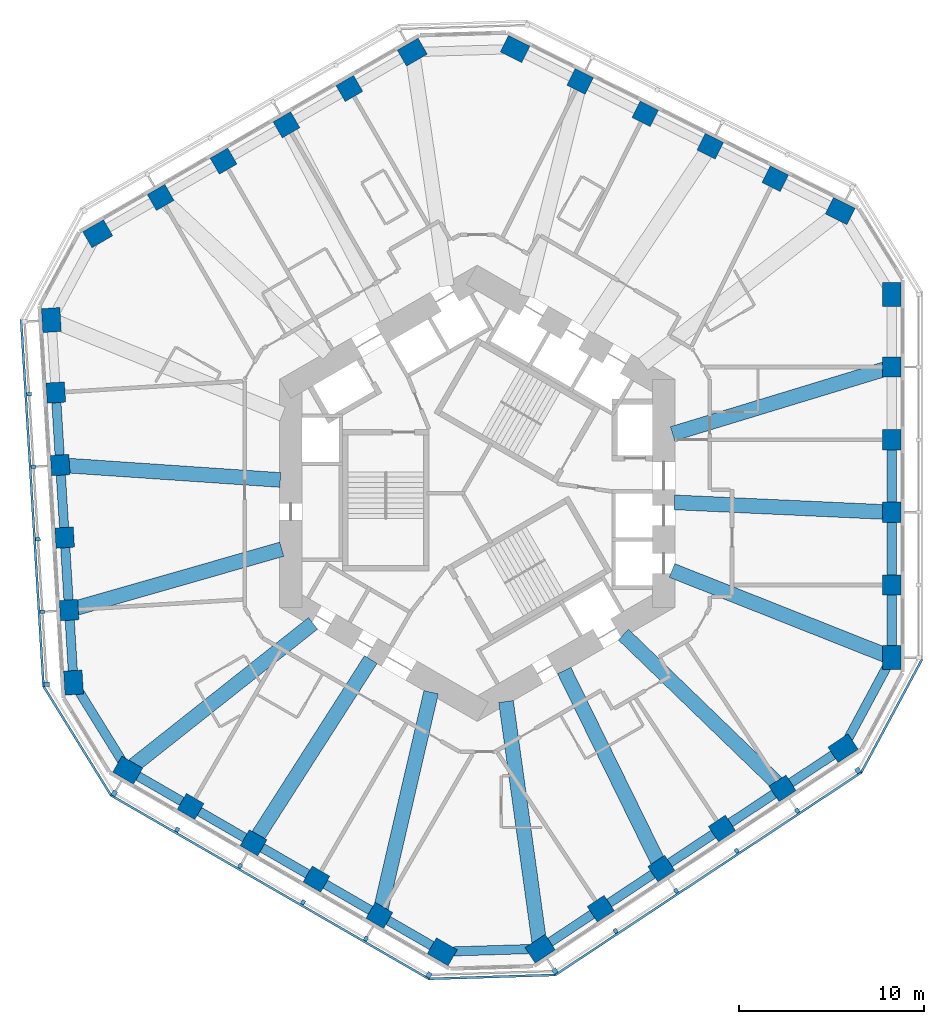
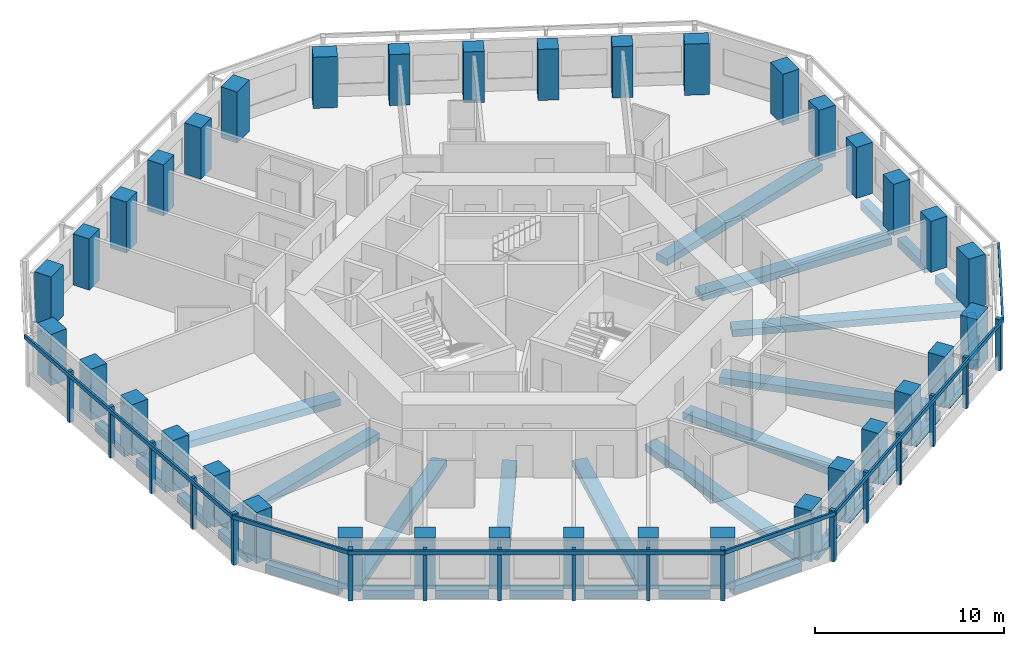
# One storey, part 1 of 12: 36 columns, 31 beams, 23 members, 6 elements without a shape of their own.
"""IFC4 building model written with IfcOpenShell, lengths in metres."""

from ifc_helpers import new_model, si_unit, direction, frame, origin, origin_2d, place, context, subcontext, project, spatial, rectangle, extrude, material, material_profile, profile_set, type_object, element, aggregate, save


model = new_model("IFC4")

# Units and contexts
model_context = context("Model", 3, precision=1e-05, world=origin(), true_north=direction((0.0, 1.0)))
body_context = subcontext(model_context, "Body", "Model", "MODEL_VIEW")
ifc_project = project(units=[si_unit("LENGTHUNIT", "METRE"), si_unit("AREAUNIT", "SQUARE_METRE"), si_unit("VOLUMEUNIT", "CUBIC_METRE"), si_unit("PLANEANGLEUNIT", "RADIAN"), si_unit("MASSUNIT", "GRAM", prefix="KILO")], contexts=[model_context])

# Site, building, storey
site_placement = place(None, origin())
site = spatial("IfcSite", under=ifc_project, at=site_placement, CompositionType="ELEMENT")
building_placement = place(site_placement, origin())
building = spatial("IfcBuilding", under=site, at=building_placement, Name="Vanh Sen Convention Tower", CompositionType="ELEMENT")
storey_placement = place(building_placement, frame((0.0, 0.0, 110.0)))
storey = spatial("IfcBuildingStorey", under=building, at=storey_placement, Name="L26", CompositionType="ELEMENT", Elevation=110.0)

# Columns
ifc_material_1 = material(Name="Concrete C80/95", Category="concrete")
ifc_material_profile_1 = material_profile(ifc_material_1, rectangle(XDim=1.10009765625, YDim=1.0, at=origin_2d()), Name="RC 1100X1000")
ifc_profile_set_1 = profile_set([ifc_material_profile_1], Name="Concrete C80/95")
column_type_1 = type_object("IfcColumnType", Name="Facade column 1100 x 1000 C80/95", PredefinedType="COLUMN", material=ifc_profile_set_1)
for number, where, z_axis, x_axis, name in (
    (1, (22.449951171875, -4.964599609375, 0.0), (0.0, 0.0, 1.0), (0.0, 1.0, 0.0), "Facade column 02 L26"),
    (2, (22.449951171875, -1.030029296875, 0.0), (0.0, 0.0, 1.0), (0.0, 1.0, 0.0), "Facade column 03 L26"),
    (3, (22.449951171875, 2.904541015625, 0.0), (0.0, 0.0, 1.0), (0.0, 1.0, 0.0), "Facade column 04 L26"),
    (4, (22.449951171875, 6.839111328125, 0.0), (0.0, 0.0, 1.0), (0.0, 1.0, 0.0), "Facade column 05 L26"),
    (5, (16.1376953125, 17.039794921875, 0.0), (0.0, 0.0, 1.0), (-0.894934361602, 0.44619781311, 0.0), "Facade column 08 L26"),
    (6, (12.616455078125, 18.79541015625, 0.0), (0.0, 0.0, 1.0), (-0.894934361602, 0.44619781311, 0.0), "Facade column 09 L26"),
    (7, (9.09521484375, 20.55078125, 0.0), (0.0, 0.0, 1.0), (-0.894934361602, 0.44619781311, 0.0), "Facade column 10 L26"),
    (8, (5.57421875, 22.306396484375, 0.0), (0.0, 0.0, 1.0), (-0.894934361602, 0.44619781311, 0.0), "Facade column 11 L26"),
    (9, (-6.925537109375, 21.924560546875, 0.0), (0.0, 0.0, 1.0), (-0.866025403784, -0.5, 0.0), "Facade column 14 L26"),
    (10, (-10.3330078125, 19.957275390625, 0.0), (0.0, 0.0, 1.0), (-0.866025403784, -0.5, 0.0), "Facade column 15 L26"),
    (11, (-13.740478515625, 17.989990234375, 0.0), (0.0, 0.0, 1.0), (-0.866025403784, -0.5, 0.0), "Facade column 16 L26"),
    (12, (-17.14794921875, 16.022705078125, 0.0), (0.0, 0.0, 1.0), (-0.866025403784, -0.5, 0.0), "Facade column 17 L26"),
    (13, (-22.82568359375, 5.455810546875, 0.0), (0.0, 0.0, 1.0), (0.061048539535, -0.998134798422, 0.0), "Facade column 20 L26"),
    (14, (-22.58544921875, 1.528564453125, 0.0), (0.0, 0.0, 1.0), (0.061048539535, -0.998134798422, 0.0), "Facade column 21 L26"),
    (15, (-22.34521484375, -2.398681640625, 0.0), (0.0, 0.0, 1.0), (0.061048539535, -0.998134798422, 0.0), "Facade column 22 L26"),
    (16, (-22.10498046875, -6.325927734375, 0.0), (0.0, 0.0, 1.0), (0.061048539535, -0.998134798422, 0.0), "Facade column 23 L26"),
    (17, (-15.5244140625, -16.9599609375, 0.0), (0.0, 0.0, 1.0), (0.866025403784, -0.5, 0.0), "Facade column 26 L26"),
    (18, (-12.1171875, -18.92724609375, 0.0), (0.0, 0.0, 1.0), (0.866025403784, -0.5, 0.0), "Facade column 27 L26"),
    (19, (-8.709716796875, -20.89453125, 0.0), (0.0, 0.0, 1.0), (0.866025403784, -0.5, 0.0), "Facade column 28 L26"),
    (20, (-5.302001953125, -22.86181640625, 0.0), (0.0, 0.0, 1.0), (0.866025403784, -0.5, 0.0), "Facade column 29 L26"),
    (21, (6.68798828125, -22.49560546875, 0.0), (0.0, 0.0, 1.0), (0.833885822067, 0.551936985312, 0.0), "Facade column 32 L26"),
    (22, (9.968994140625, -20.323974609375, 0.0), (0.0, 0.0, 1.0), (0.833885822067, 0.551936985312, 0.0), "Facade column 33 L26"),
    (23, (13.25, -18.152099609375, 0.0), (0.0, 0.0, 1.0), (0.833885822067, 0.551936985312, 0.0), "Facade column 34 L26"),
    (24, (16.531005859375, -15.980712890625, 0.0), (0.0, 0.0, 1.0), (0.833885822067, 0.551936985312, 0.0), "Facade column 35 L26"),
):
    element("IfcColumn", number, at=place(storey_placement, frame(where, z_axis=z_axis, x_axis=x_axis)), inside=storey, type_object=column_type_1, Name=name, PredefinedType="COLUMN", context=body_context, shape_type="SweptSolid", body=[
        extrude(rectangle(XDim=1.10009765625, YDim=1.0, at=origin_2d()), origin(), (0.0, 0.0, 1.0), 3.300048828125),
    ])
ifc_material_profile_2 = material_profile(ifc_material_1, rectangle(XDim=1.300048828125, YDim=1.0, at=origin_2d()), Name="RC 1300X1000")
ifc_profile_set_2 = profile_set([ifc_material_profile_2], Name="Concrete C80/95")
column_type_2 = type_object("IfcColumnType", Name="Facade corner column 1300 x 1000 C80/95", PredefinedType="COLUMN", material=ifc_profile_set_2)
for number, where, z_axis, x_axis, name in (
    (25, (22.449951171875, -8.899169921875, 0.0), (0.0, 0.0, 1.0), (0.0, 1.0, 0.0), "Facade column 01 L26"),
    (26, (22.449951171875, 10.773681640625, 0.0), (0.0, 0.0, 1.0), (0.0, 1.0, 0.0), "Facade column 06 L26"),
    (27, (19.658935546875, 15.2841796875, 0.0), (0.0, 0.0, 1.0), (-0.894934361602, 0.44619781311, 0.0), "Facade column 07 L26"),
    (28, (2.052978515625, 24.06201171875, 0.0), (0.0, 0.0, 1.0), (-0.894934361602, 0.44619781311, 0.0), "Facade column 12 L26"),
    (29, (-3.51806640625, 23.891845703125, 0.0), (0.0, 0.0, 1.0), (-0.866025403784, -0.5, 0.0), "Facade column 13 L26"),
    (30, (-20.555419921875, 14.055419921875, 0.0), (0.0, 0.0, 1.0), (-0.866025403784, -0.5, 0.0), "Facade column 18 L26"),
    (31, (-23.06591796875, 9.383056640625, 0.0), (0.0, 0.0, 1.0), (0.061048539535, -0.998134798422, 0.0), "Facade column 19 L26"),
    (32, (-21.86474609375, -10.253173828125, 0.0), (0.0, 0.0, 1.0), (0.061048539535, -0.998134798422, 0.0), "Facade column 24 L26"),
    (33, (-18.931884765625, -14.99267578125, 0.0), (0.0, 0.0, 1.0), (0.866025403784, -0.5, 0.0), "Facade column 25 L26"),
    (34, (-1.894775390625, -24.8291015625, 0.0), (0.0, 0.0, 1.0), (0.866025403784, -0.5, 0.0), "Facade column 30 L26"),
    (35, (3.406982421875, -24.6669921875, 0.0), (0.0, 0.0, 1.0), (0.833885822067, 0.551936985312, 0.0), "Facade column 31 L26"),
    (36, (19.81201171875, -13.808837890625, 0.0), (0.0, 0.0, 1.0), (0.833885822067, 0.551936985312, 0.0), "Facade column 36 L26"),
):
    element("IfcColumn", number, at=place(storey_placement, frame(where, z_axis=z_axis, x_axis=x_axis)), inside=storey, type_object=column_type_2, Name=name, PredefinedType="COLUMN", context=body_context, shape_type="SweptSolid", body=[
        extrude(rectangle(XDim=1.300048828125, YDim=1.0, at=origin_2d()), origin(), (0.0, 0.0, 1.0), 3.300048828125),
    ])

# Curtain wall, member
ifc_material_2 = material(Name="Concrete C50/60", Category="concrete")
curtain_wall_type = type_object("IfcCurtainWallType", Name="Outer skin hotel zone", PredefinedType="NOTDEFINED", material=ifc_material_2)
curtain_wall_1_placement = place(storey_placement, origin())
curtain_wall_1 = element("IfcCurtainWall", 37, at=curtain_wall_1_placement, inside=storey, type_object=curtain_wall_type, Name="OUTER SKIN W L26", PredefinedType="NOTDEFINED")
ifc_material_profile_3 = material_profile(ifc_material_2, rectangle(XDim=0.25, YDim=0.300048828125, at=origin_2d()), Name="Outer skin precast corner fin 250 x 300")
ifc_profile_set_3 = profile_set([ifc_material_profile_3], Name="Concrete C50/60")
member_type_1 = type_object("IfcMemberType", Name="Outer skin precast corner fin 250 x 300", PredefinedType="MULLION", material=ifc_profile_set_3)
member_1_placement = place(storey_placement, frame((-23.31201171875, -10.341796875, 0.0), z_axis=(0.0, 0.0, 1.0), x_axis=(0.061048539535, -0.998134798422, 0.0)))
member_1 = element("IfcMember", 38, at=member_1_placement, type_object=member_type_1, Name="OUTER SKIN CORNER FIN 6 W L26", PredefinedType="MULLION", context=body_context, shape_type="SweptSolid", body=[
    extrude(rectangle(XDim=0.25, YDim=0.300048828125, at=origin_2d()), origin(), (0.0, 0.0, 1.0), 3.300048828125),
])

# Curtain wall, members
curtain_wall_2_placement = place(storey_placement, origin())
curtain_wall_2 = element("IfcCurtainWall", 39, at=curtain_wall_2_placement, inside=storey, type_object=curtain_wall_type, Name="OUTER SKIN SW L26", PredefinedType="NOTDEFINED")
member_2_placement = place(storey_placement, frame((-19.656982421875, -16.248291015625, 0.0), z_axis=(0.0, 0.0, 1.0), x_axis=(0.866025403784, -0.5, 0.0)))
member_2 = element("IfcMember", 40, at=member_2_placement, type_object=member_type_1, Name="OUTER SKIN CORNER FIN 1 SW L26", PredefinedType="MULLION", context=body_context, shape_type="SweptSolid", body=[
    extrude(rectangle(XDim=0.25, YDim=0.300048828125, at=origin_2d()), origin(), (0.0, 0.0, 1.0), 3.300048828125),
])
member_3_placement = place(storey_placement, frame((-2.61962890625, -26.084716796875, 0.0), z_axis=(0.0, 0.0, 1.0), x_axis=(0.866025403784, -0.5, 0.0)))
member_3 = element("IfcMember", 41, at=member_3_placement, type_object=member_type_1, Name="OUTER SKIN CORNER FIN 6 SW L26", PredefinedType="MULLION", context=body_context, shape_type="SweptSolid", body=[
    extrude(rectangle(XDim=0.25, YDim=0.300048828125, at=origin_2d()), origin(), (0.0, 0.0, 1.0), 3.300048828125),
])

curtain_wall_3_placement = place(storey_placement, origin())
curtain_wall_3 = element("IfcCurtainWall", 42, at=curtain_wall_3_placement, inside=storey, type_object=curtain_wall_type, Name="OUTER SKIN SE L26", PredefinedType="NOTDEFINED")
member_4_placement = place(storey_placement, frame((4.207275390625, -25.876220703125, 0.0), z_axis=(0.0, 0.0, 1.0), x_axis=(0.833885822067, 0.551936985312, 0.0)))
member_4 = element("IfcMember", 43, at=member_4_placement, type_object=member_type_1, Name="OUTER SKIN CORNER FIN 1 SE L26", PredefinedType="MULLION", context=body_context, shape_type="SweptSolid", body=[
    extrude(rectangle(XDim=0.25, YDim=0.300048828125, at=origin_2d()), origin(), (0.0, 0.0, 1.0), 3.300048828125),
])
member_5_placement = place(storey_placement, frame((20.6123046875, -15.01806640625, 0.0), z_axis=(0.0, 0.0, 1.0), x_axis=(0.833885822067, 0.551936985312, 0.0)))
member_5 = element("IfcMember", 44, at=member_5_placement, type_object=member_type_1, Name="OUTER SKIN CORNER FIN 6 SE L26", PredefinedType="MULLION", context=body_context, shape_type="SweptSolid", body=[
    extrude(rectangle(XDim=0.25, YDim=0.300048828125, at=origin_2d()), origin(), (0.0, 0.0, 1.0), 3.300048828125),
])

# Member
ifc_material_profile_4 = material_profile(ifc_material_2, rectangle(XDim=0.199951171875, YDim=0.25, at=origin_2d()), Name="Outer skin precast fin 200 x 250")
ifc_profile_set_4 = profile_set([ifc_material_profile_4], Name="Concrete C50/60")
member_type_2 = type_object("IfcMemberType", Name="Outer skin precast fin 200 x 250", PredefinedType="MULLION", material=ifc_profile_set_4)
member_6_placement = place(storey_placement, frame((-24.27294921875, 5.3671875, 0.0), z_axis=(0.0, 0.0, 1.0), x_axis=(0.061048539535, -0.998134798422, 0.0)))
member_6 = element("IfcMember", 45, at=member_6_placement, type_object=member_type_2, Name="OUTER SKIN fin 2 W L26", PredefinedType="MULLION", context=body_context, shape_type="SweptSolid", body=[
    extrude(rectangle(XDim=0.199951171875, YDim=0.25, at=origin_2d()), origin(), (0.0, 0.0, 1.0), 3.300048828125),
])

member_7_placement = place(storey_placement, frame((-24.03271484375, 1.440185546875, 0.0), z_axis=(0.0, 0.0, 1.0), x_axis=(0.061048539535, -0.998134798422, 0.0)))
member_7 = element("IfcMember", 46, at=member_7_placement, type_object=member_type_2, Name="OUTER SKIN fin 3 W L26", PredefinedType="MULLION", context=body_context, shape_type="SweptSolid", body=[
    extrude(rectangle(XDim=0.199951171875, YDim=0.25, at=origin_2d()), origin(), (0.0, 0.0, 1.0), 3.300048828125),
])

member_8_placement = place(storey_placement, frame((-23.79248046875, -2.4873046875, 0.0), z_axis=(0.0, 0.0, 1.0), x_axis=(0.061048539535, -0.998134798422, 0.0)))
member_8 = element("IfcMember", 47, at=member_8_placement, type_object=member_type_2, Name="OUTER SKIN fin 4 W L26", PredefinedType="MULLION", context=body_context, shape_type="SweptSolid", body=[
    extrude(rectangle(XDim=0.199951171875, YDim=0.25, at=origin_2d()), origin(), (0.0, 0.0, 1.0), 3.300048828125),
])

member_9_placement = place(storey_placement, frame((-23.55224609375, -6.414306640625, 0.0), z_axis=(0.0, 0.0, 1.0), x_axis=(0.061048539535, -0.998134798422, 0.0)))
member_9 = element("IfcMember", 48, at=member_9_placement, type_object=member_type_2, Name="OUTER SKIN fin 5 W L26", PredefinedType="MULLION", context=body_context, shape_type="SweptSolid", body=[
    extrude(rectangle(XDim=0.199951171875, YDim=0.25, at=origin_2d()), origin(), (0.0, 0.0, 1.0), 3.300048828125),
])

member_10_placement = place(storey_placement, frame((-16.24951171875, -18.2158203125, 0.0), z_axis=(0.0, 0.0, 1.0), x_axis=(0.866025403784, -0.5, 0.0)))
member_10 = element("IfcMember", 49, at=member_10_placement, type_object=member_type_2, Name="OUTER SKIN fin 2 SW L26", PredefinedType="MULLION", context=body_context, shape_type="SweptSolid", body=[
    extrude(rectangle(XDim=0.199951171875, YDim=0.25, at=origin_2d()), origin(), (0.0, 0.0, 1.0), 3.300048828125),
])

member_11_placement = place(storey_placement, frame((-12.842041015625, -20.182861328125, 0.0), z_axis=(0.0, 0.0, 1.0), x_axis=(0.866025403784, -0.5, 0.0)))
member_11 = element("IfcMember", 50, at=member_11_placement, type_object=member_type_2, Name="OUTER SKIN fin 3 SW L26", PredefinedType="MULLION", context=body_context, shape_type="SweptSolid", body=[
    extrude(rectangle(XDim=0.199951171875, YDim=0.25, at=origin_2d()), origin(), (0.0, 0.0, 1.0), 3.300048828125),
])

member_12_placement = place(storey_placement, frame((-9.4345703125, -22.150146484375, 0.0), z_axis=(0.0, 0.0, 1.0), x_axis=(0.866025403784, -0.5, 0.0)))
member_12 = element("IfcMember", 51, at=member_12_placement, type_object=member_type_2, Name="OUTER SKIN fin 4 SW L26", PredefinedType="MULLION", context=body_context, shape_type="SweptSolid", body=[
    extrude(rectangle(XDim=0.199951171875, YDim=0.25, at=origin_2d()), origin(), (0.0, 0.0, 1.0), 3.300048828125),
])

member_13_placement = place(storey_placement, frame((-6.027099609375, -24.117431640625, 0.0), z_axis=(0.0, 0.0, 1.0), x_axis=(0.866025403784, -0.5, 0.0)))
member_13 = element("IfcMember", 52, at=member_13_placement, type_object=member_type_2, Name="OUTER SKIN fin 5 SW L26", PredefinedType="MULLION", context=body_context, shape_type="SweptSolid", body=[
    extrude(rectangle(XDim=0.199951171875, YDim=0.25, at=origin_2d()), origin(), (0.0, 0.0, 1.0), 3.300048828125),
])

member_14_placement = place(storey_placement, frame((7.48828125, -23.70458984375, 0.0), z_axis=(0.0, 0.0, 1.0), x_axis=(0.833885822067, 0.551936985312, 0.0)))
member_14 = element("IfcMember", 53, at=member_14_placement, type_object=member_type_2, Name="OUTER SKIN fin 2 SE L26", PredefinedType="MULLION", context=body_context, shape_type="SweptSolid", body=[
    extrude(rectangle(XDim=0.199951171875, YDim=0.25, at=origin_2d()), origin(), (0.0, 0.0, 1.0), 3.300048828125),
])

member_15_placement = place(storey_placement, frame((10.769287109375, -21.532958984375, 0.0), z_axis=(0.0, 0.0, 1.0), x_axis=(0.833885822067, 0.551936985312, 0.0)))
member_15 = element("IfcMember", 54, at=member_15_placement, type_object=member_type_2, Name="OUTER SKIN fin 3 SE L26", PredefinedType="MULLION", context=body_context, shape_type="SweptSolid", body=[
    extrude(rectangle(XDim=0.199951171875, YDim=0.25, at=origin_2d()), origin(), (0.0, 0.0, 1.0), 3.300048828125),
])

member_16_placement = place(storey_placement, frame((14.05029296875, -19.361328125, 0.0), z_axis=(0.0, 0.0, 1.0), x_axis=(0.833885822067, 0.551936985312, 0.0)))
member_16 = element("IfcMember", 55, at=member_16_placement, type_object=member_type_2, Name="OUTER SKIN fin 4 SE L26", PredefinedType="MULLION", context=body_context, shape_type="SweptSolid", body=[
    extrude(rectangle(XDim=0.199951171875, YDim=0.25, at=origin_2d()), origin(), (0.0, 0.0, 1.0), 3.300048828125),
])

member_17_placement = place(storey_placement, frame((17.331298828125, -17.189697265625, 0.0), z_axis=(0.0, 0.0, 1.0), x_axis=(0.833885822067, 0.551936985312, 0.0)))
member_17 = element("IfcMember", 56, at=member_17_placement, type_object=member_type_2, Name="OUTER SKIN fin 5 SE L26", PredefinedType="MULLION", context=body_context, shape_type="SweptSolid", body=[
    extrude(rectangle(XDim=0.199951171875, YDim=0.25, at=origin_2d()), origin(), (0.0, 0.0, 1.0), 3.300048828125),
])

ifc_material_profile_5 = material_profile(ifc_material_2, rectangle(XDim=0.1201171875, YDim=0.25, at=origin_2d()), Name="Outer skin precast spandrel band 250 x 120")
ifc_profile_set_5 = profile_set([ifc_material_profile_5], Name="Concrete C50/60")
member_type_3 = type_object("IfcMemberType", Name="Outer skin precast spandrel band 250 x 120", PredefinedType="USERDEFINED", material=ifc_profile_set_5)
member_18_placement = place(storey_placement, frame((-24.705322265625, 9.408203125, 3.175048828125), z_axis=(0.061050017989, -0.998134707995, 0.0), x_axis=(0.998134707995, 0.061050017989, 0.0)))
member_18 = element("IfcMember", 57, at=member_18_placement, type_object=member_type_3, Name="OUTER SKIN spandrel band W L26", ObjectType="TRANSOM", PredefinedType="USERDEFINED", context=body_context, shape_type="SweptSolid", body=[
    extrude(rectangle(XDim=0.1201171875, YDim=0.25, at=origin_2d()), origin(), (0.0, 0.0, 1.0), 19.923095703125),
])

aggregate(curtain_wall_1, [member_6, member_7, member_8, member_9, member_1, member_18])

# Curtain wall, member
curtain_wall_4_placement = place(storey_placement, origin())
curtain_wall_4 = element("IfcCurtainWall", 58, at=curtain_wall_4_placement, inside=storey, type_object=curtain_wall_type, Name="OUTER SKIN CH4 L26", PredefinedType="NOTDEFINED")
member_19_placement = place(storey_placement, frame((-23.49072265625, -10.4521484375, 3.175048828125), z_axis=(0.526196095141, -0.850363257354, 0.0), x_axis=(0.850363257354, 0.526196095141, 0.0)))
member_19 = element("IfcMember", 59, at=member_19_placement, type_object=member_type_3, Name="OUTER SKIN spandrel band CH4 L26", ObjectType="TRANSOM", PredefinedType="USERDEFINED", context=body_context, shape_type="SweptSolid", body=[
    extrude(rectangle(XDim=0.1201171875, YDim=0.25, at=origin_2d()), origin(), (0.0, 0.0, 1.0), 6.946044921875),
])
aggregate(curtain_wall_4, [member_19])

# Member
member_20_placement = place(storey_placement, frame((-19.85791015625, -16.34619140625, 3.175048828125), z_axis=(0.866028047459, -0.499995420993, 0.0), x_axis=(0.499995420993, 0.866028047459, 0.0)))
member_20 = element("IfcMember", 60, at=member_20_placement, type_object=member_type_3, Name="OUTER SKIN spandrel band SW L26", ObjectType="TRANSOM", PredefinedType="USERDEFINED", context=body_context, shape_type="SweptSolid", body=[
    extrude(rectangle(XDim=0.1201171875, YDim=0.25, at=origin_2d()), origin(), (0.0, 0.0, 1.0), 19.923095703125),
])

aggregate(curtain_wall_2, [member_2, member_10, member_11, member_12, member_13, member_3, member_20])

# Curtain wall, member
curtain_wall_5_placement = place(storey_placement, origin())
curtain_wall_5 = element("IfcCurtainWall", 61, at=curtain_wall_5_placement, inside=storey, type_object=curtain_wall_type, Name="OUTER SKIN CH5 L26", PredefinedType="NOTDEFINED")
member_21_placement = place(storey_placement, frame((-2.61328125, -26.294677734375, 3.175048828125), z_axis=(0.99953396928, 0.030526124156, 0.0), x_axis=(-0.030526124156, 0.99953396928, 0.0)))
member_21 = element("IfcMember", 62, at=member_21_placement, type_object=member_type_3, Name="OUTER SKIN spandrel band CH5 L26", ObjectType="TRANSOM", PredefinedType="USERDEFINED", context=body_context, shape_type="SweptSolid", body=[
    extrude(rectangle(XDim=0.1201171875, YDim=0.25, at=origin_2d()), origin(), (0.0, 0.0, 1.0), 6.830078125),
])
aggregate(curtain_wall_5, [member_21])

# Member
member_22_placement = place(storey_placement, frame((4.205078125, -26.099609375, 3.175048828125), z_axis=(0.833883851182, 0.551939962984, 0.0), x_axis=(-0.551939962984, 0.833883851182, 0.0)))
member_22 = element("IfcMember", 63, at=member_22_placement, type_object=member_type_3, Name="OUTER SKIN spandrel band SE L26", ObjectType="TRANSOM", PredefinedType="USERDEFINED", context=body_context, shape_type="SweptSolid", body=[
    extrude(rectangle(XDim=0.1201171875, YDim=0.25, at=origin_2d()), origin(), (0.0, 0.0, 1.0), 19.923095703125),
])

aggregate(curtain_wall_3, [member_4, member_14, member_15, member_16, member_17, member_5, member_22])

# Curtain wall, member
curtain_wall_6_placement = place(storey_placement, origin())
curtain_wall_6 = element("IfcCurtainWall", 64, at=curtain_wall_6_placement, inside=storey, type_object=curtain_wall_type, Name="OUTER SKIN CH6 L26", PredefinedType="NOTDEFINED")
member_23_placement = place(storey_placement, frame((20.797119140625, -15.117431640625, 3.175048828125), z_axis=(0.473324148816, 0.880888330123, 0.0), x_axis=(-0.880888330123, 0.473324148816, 0.0)))
member_23 = element("IfcMember", 65, at=member_23_placement, type_object=member_type_3, Name="OUTER SKIN spandrel band CH6 L26", ObjectType="TRANSOM", PredefinedType="USERDEFINED", context=body_context, shape_type="SweptSolid", body=[
    extrude(rectangle(XDim=0.1201171875, YDim=0.25, at=origin_2d()), origin(), (0.0, 0.0, 1.0), 6.9462890625),
])
aggregate(curtain_wall_6, [member_23])

# Beams
ifc_material_3 = material(Name="Concrete C50/60", Category="concrete")
ifc_material_profile_6 = material_profile(ifc_material_3, rectangle(XDim=0.800048828125, YDim=0.449951171875, at=origin_2d()), Name="RC 800X450")
ifc_profile_set_6 = profile_set([ifc_material_profile_6], Name="Concrete C50/60")
beam_type_1 = type_object("IfcBeamType", Name="Radial floor beam 800 x 450", PredefinedType="BEAM", material=ifc_profile_set_6)
beam_1_placement = place(storey_placement, frame((22.10205078125, -8.76123046875, -0.47509765625), z_axis=(-0.929623737454, 0.368510117584, 0.0), x_axis=(-0.368510117584, -0.929623737454, 0.0)))
element("IfcBeam", 66, at=beam_1_placement, inside=storey, type_object=beam_type_1, Name="Radial beam 01 L26", PredefinedType="BEAM", context=body_context, shape_type="SweptSolid", body=[
    extrude(rectangle(XDim=0.800048828125, YDim=0.449951171875, at=origin_2d()), origin(), (0.0, 0.0, 1.0), 12.4287109375),
])
beam_2_placement = place(storey_placement, frame((21.973388671875, -1.00830078125, -0.47509765625), z_axis=(-0.998949085964, 0.045833651953, 0.0), x_axis=(-0.045833651953, -0.998949085964, 0.0)))
element("IfcBeam", 67, at=beam_2_placement, inside=storey, type_object=beam_type_1, Name="Radial beam 02 L26", PredefinedType="BEAM", context=body_context, shape_type="SweptSolid", body=[
    extrude(rectangle(XDim=0.800048828125, YDim=0.449951171875, at=origin_2d()), origin(), (0.0, 0.0, 1.0), 11.30859375),
])
beam_3_placement = place(storey_placement, frame((22.0712890625, 6.7236328125, -0.47509765625), z_axis=(-0.956599525752, -0.29140581211, 0.0), x_axis=(0.29140581211, -0.956599525752, 0.0)))
element("IfcBeam", 68, at=beam_3_placement, inside=storey, type_object=beam_type_1, Name="Radial beam 03 L26", PredefinedType="BEAM", context=body_context, shape_type="SweptSolid", body=[
    extrude(rectangle(XDim=0.800048828125, YDim=0.449951171875, at=origin_2d()), origin(), (0.0, 0.0, 1.0), 12.01416015625),
])
beam_4_placement = place(storey_placement, frame((-22.138916015625, 1.498291015625, -0.47509765625), z_axis=(0.997717468066, -0.0675266904, 0.0), x_axis=(0.0675266904, 0.997717468066, 0.0)))
element("IfcBeam", 69, at=beam_4_placement, inside=storey, type_object=beam_type_1, Name="Radial beam 11 L26", PredefinedType="BEAM", context=body_context, shape_type="SweptSolid", body=[
    extrude(rectangle(XDim=0.800048828125, YDim=0.449951171875, at=origin_2d()), origin(), (0.0, 0.0, 1.0), 11.4970703125),
])
beam_5_placement = place(storey_placement, frame((-21.70263671875, -6.210693359375, -0.47509765625), z_axis=(0.96140993594, 0.275119855837, 0.0), x_axis=(-0.275119855837, 0.96140993594, 0.0)))
element("IfcBeam", 70, at=beam_5_placement, inside=storey, type_object=beam_type_1, Name="Radial beam 12 L26", PredefinedType="BEAM", context=body_context, shape_type="SweptSolid", body=[
    extrude(rectangle(XDim=0.800048828125, YDim=0.449951171875, at=origin_2d()), origin(), (0.0, 0.0, 1.0), 11.563720703125),
])
beam_6_placement = place(storey_placement, frame((-18.638671875, -14.76025390625, -0.47509765625), z_axis=(0.78395420425, 0.620818657612, 0.0), x_axis=(-0.620818657612, 0.78395420425, 0.0)))
element("IfcBeam", 71, at=beam_6_placement, inside=storey, type_object=beam_type_1, Name="Radial beam 13 L26", PredefinedType="BEAM", context=body_context, shape_type="SweptSolid", body=[
    extrude(rectangle(XDim=0.800048828125, YDim=0.449951171875, at=origin_2d()), origin(), (0.0, 0.0, 1.0), 12.428955078125),
])
beam_7_placement = place(storey_placement, frame((-11.85986328125, -18.525390625, -0.47509765625), z_axis=(0.539160288654, 0.842203172126, 0.0), x_axis=(-0.842203172126, 0.539160288654, 0.0)))
element("IfcBeam", 72, at=beam_7_placement, inside=storey, type_object=beam_type_1, Name="Radial beam 14 L26", PredefinedType="BEAM", context=body_context, shape_type="SweptSolid", body=[
    extrude(rectangle(XDim=0.800048828125, YDim=0.449951171875, at=origin_2d()), origin(), (0.0, 0.0, 1.0), 11.30859375),
])
beam_8_placement = place(storey_placement, frame((-5.212646484375, -22.476318359375, -0.47509765625), z_axis=(0.225927931957, 0.974144018902, 0.0), x_axis=(-0.974144018902, 0.225927931957, 0.0)))
element("IfcBeam", 73, at=beam_8_placement, inside=storey, type_object=beam_type_1, Name="Radial beam 15 L26", PredefinedType="BEAM", context=body_context, shape_type="SweptSolid", body=[
    extrude(rectangle(XDim=0.800048828125, YDim=0.449951171875, at=origin_2d()), origin(), (0.0, 0.0, 1.0), 12.01416015625),
])
beam_9_placement = place(storey_placement, frame((3.35791015625, -24.312744140625, -0.47509765625), z_axis=(-0.136801873088, 0.990598428991, 0.0), x_axis=(-0.990598428991, -0.136801873088, 0.0)))
element("IfcBeam", 74, at=beam_9_placement, inside=storey, type_object=beam_type_1, Name="Radial beam 16 L26", PredefinedType="BEAM", context=body_context, shape_type="SweptSolid", body=[
    extrude(rectangle(XDim=0.800048828125, YDim=0.449951171875, at=origin_2d()), origin(), (0.0, 0.0, 1.0), 13.159912109375),
])
beam_10_placement = place(storey_placement, frame((9.77197265625, -19.922119140625, -0.47509765625), z_axis=(-0.440388501121, 0.89780731122, 0.0), x_axis=(-0.89780731122, -0.440388501121, 0.0)))
element("IfcBeam", 75, at=beam_10_placement, inside=storey, type_object=beam_type_1, Name="Radial beam 17 L26", PredefinedType="BEAM", context=body_context, shape_type="SweptSolid", body=[
    extrude(rectangle(XDim=0.800048828125, YDim=0.449951171875, at=origin_2d()), origin(), (0.0, 0.0, 1.0), 11.497314453125),
])
beam_11_placement = place(storey_placement, frame((16.22998046875, -15.689697265625, -0.47509765625), z_axis=(-0.718965868582, 0.695045379679, 0.0), x_axis=(-0.695045379679, -0.718965868582, 0.0)))
element("IfcBeam", 76, at=beam_11_placement, inside=storey, type_object=beam_type_1, Name="Radial beam 18 L26", PredefinedType="BEAM", context=body_context, shape_type="SweptSolid", body=[
    extrude(rectangle(XDim=0.800048828125, YDim=0.449951171875, at=origin_2d()), origin(), (0.0, 0.0, 1.0), 11.563720703125),
])
ifc_material_profile_7 = material_profile(ifc_material_3, rectangle(XDim=0.5, YDim=0.550048828125, at=origin_2d()), Name="RC 500X550")
ifc_profile_set_7 = profile_set([ifc_material_profile_7], Name="Concrete C50/60")
beam_type_2 = type_object("IfcBeamType", Name="Spandrel beam 500 x 550", PredefinedType="SPANDREL", material=ifc_profile_set_7)
beam_12_placement = place(storey_placement, frame((22.449951171875, -8.254150390625, -0.52490234375), z_axis=(0.0, 1.0, 0.0), x_axis=(-1.0, 0.0, 0.0)))
element("IfcBeam", 77, at=beam_12_placement, inside=storey, type_object=beam_type_2, Name="Spandrel beam 01 L26", PredefinedType="SPANDREL", context=body_context, shape_type="SweptSolid", body=[
    extrude(rectangle(XDim=0.5, YDim=0.550048828125, at=origin_2d()), origin(), (0.0, 0.0, 1.0), 2.74462890625),
])
beam_13_placement = place(storey_placement, frame((22.449951171875, -4.419677734375, -0.52490234375), z_axis=(0.0, 1.0, 0.0), x_axis=(-1.0, 0.0, 0.0)))
element("IfcBeam", 78, at=beam_13_placement, inside=storey, type_object=beam_type_2, Name="Spandrel beam 02 L26", PredefinedType="SPANDREL", context=body_context, shape_type="SweptSolid", body=[
    extrude(rectangle(XDim=0.5, YDim=0.550048828125, at=origin_2d()), origin(), (0.0, 0.0, 1.0), 2.844482421875),
])
for number, where, z_axis, x_axis, name in (
    (79, (22.449951171875, -0.485107421875, -0.52490234375), (0.0, 1.0, 0.0), (-1.0, 0.0, 0.0), "Spandrel beam 03 L26"),
    (80, (-22.792236328125, 4.911865234375, -0.52490234375), (0.061021069303, -0.998136478194, 0.0), (0.998136478194, 0.061021069303, 0.0), "Spandrel beam 20 L26"),
    (81, (-22.552001953125, 0.984619140625, -0.52490234375), (0.061021069303, -0.998136478194, 0.0), (0.998136478194, 0.061021069303, 0.0), "Spandrel beam 21 L26"),
    (82, (-22.31201171875, -2.942626953125, -0.52490234375), (0.061106573347, -0.998131247228, 0.0), (0.998131247228, 0.061106573347, 0.0), "Spandrel beam 22 L26"),
):
    element("IfcBeam", number, at=place(storey_placement, frame(where, z_axis=z_axis, x_axis=x_axis)), inside=storey, type_object=beam_type_2, Name=name, PredefinedType="SPANDREL", context=body_context, shape_type="SweptSolid", body=[
        extrude(rectangle(XDim=0.5, YDim=0.550048828125, at=origin_2d()), origin(), (0.0, 0.0, 1.0), 2.8447265625),
    ])
beam_14_placement = place(storey_placement, frame((-22.07177734375, -6.869873046875, -0.52490234375), z_axis=(0.061021442686, -0.998136455367, 0.0), x_axis=(0.998136455367, 0.061021442686, 0.0)))
element("IfcBeam", 83, at=beam_14_placement, inside=storey, type_object=beam_type_2, Name="Spandrel beam 23 L26", PredefinedType="SPANDREL", context=body_context, shape_type="SweptSolid", body=[
    extrude(rectangle(XDim=0.5, YDim=0.550048828125, at=origin_2d()), origin(), (0.0, 0.0, 1.0), 2.74462890625),
])
beam_15_placement = place(storey_placement, frame((-21.556396484375, -10.75146484375, -0.52490234375), z_axis=(0.526169375405, -0.850379790674, 0.0), x_axis=(0.850379790674, 0.526169375405, 0.0)))
element("IfcBeam", 84, at=beam_15_placement, inside=storey, type_object=beam_type_2, Name="Spandrel beam 24 L26", PredefinedType="SPANDREL", context=body_context, shape_type="SweptSolid", body=[
    extrude(rectangle(XDim=0.5, YDim=0.550048828125, at=origin_2d()), origin(), (0.0, 0.0, 1.0), 4.4013671875),
])
beam_16_placement = place(storey_placement, frame((-18.373291015625, -15.315185546875, -0.52490234375), z_axis=(0.866006330792, -0.500033033937, 0.0), x_axis=(0.500033033937, 0.866006330792, 0.0)))
element("IfcBeam", 85, at=beam_16_placement, inside=storey, type_object=beam_type_2, Name="Spandrel beam 25 L26", PredefinedType="SPANDREL", context=body_context, shape_type="SweptSolid", body=[
    extrude(rectangle(XDim=0.5, YDim=0.550048828125, at=origin_2d()), origin(), (0.0, 0.0, 1.0), 2.744384765625),
])
for number, where, z_axis, x_axis, name in (
    (86, (-15.052490234375, -17.232421875, -0.52490234375), (0.866005490874, -0.500034488586, 0.0), (0.500034488586, 0.866005490874, 0.0), "Spandrel beam 26 L26"),
    (87, (-11.64501953125, -19.19970703125, -0.52490234375), (0.866005490874, -0.500034488586, 0.0), (0.500034488586, 0.866005490874, 0.0), "Spandrel beam 27 L26"),
    (88, (-8.237548828125, -21.1669921875, -0.52490234375), (0.866005490874, -0.500034488586, 0.0), (0.500034488586, 0.866005490874, 0.0), "Spandrel beam 28 L26"),
):
    element("IfcBeam", number, at=place(storey_placement, frame(where, z_axis=z_axis, x_axis=x_axis)), inside=storey, type_object=beam_type_2, Name=name, PredefinedType="SPANDREL", context=body_context, shape_type="SweptSolid", body=[
        extrude(rectangle(XDim=0.5, YDim=0.550048828125, at=origin_2d()), origin(), (0.0, 0.0, 1.0), 2.844482421875),
    ])
beam_17_placement = place(storey_placement, frame((-4.830078125, -23.13427734375, -0.52490234375), z_axis=(0.866006330792, -0.500033033937, 0.0), x_axis=(0.500033033937, 0.866006330792, 0.0)))
element("IfcBeam", 89, at=beam_17_placement, inside=storey, type_object=beam_type_2, Name="Spandrel beam 29 L26", PredefinedType="SPANDREL", context=body_context, shape_type="SweptSolid", body=[
    extrude(rectangle(XDim=0.5, YDim=0.550048828125, at=origin_2d()), origin(), (0.0, 0.0, 1.0), 2.744384765625),
])
beam_18_placement = place(storey_placement, frame((-1.353759765625, -24.8125, -0.52490234375), z_axis=(0.999533721385, 0.030534240042, 0.0), x_axis=(-0.030534240042, 0.999533721385, 0.0)))
element("IfcBeam", 90, at=beam_18_placement, inside=storey, type_object=beam_type_2, Name="Spandrel beam 30 L26", PredefinedType="SPANDREL", context=body_context, shape_type="SweptSolid", body=[
    extrude(rectangle(XDim=0.5, YDim=0.550048828125, at=origin_2d()), origin(), (0.0, 0.0, 1.0), 4.2216796875),
])
beam_19_placement = place(storey_placement, frame((3.94482421875, -24.31103515625, -0.52490234375), z_axis=(0.833906917805, 0.551905111805, 0.0), x_axis=(-0.551905111805, 0.833906917805, 0.0)))
element("IfcBeam", 91, at=beam_19_placement, inside=storey, type_object=beam_type_2, Name="Spandrel beam 31 L26", PredefinedType="SPANDREL", context=body_context, shape_type="SweptSolid", body=[
    extrude(rectangle(XDim=0.5, YDim=0.550048828125, at=origin_2d()), origin(), (0.0, 0.0, 1.0), 2.744384765625),
])
beam_20_placement = place(storey_placement, frame((7.142333984375, -22.194580078125, -0.52490234375), z_axis=(0.833920587756, 0.551884456491, 0.0), x_axis=(-0.551884456491, 0.833920587756, 0.0)))
element("IfcBeam", 92, at=beam_20_placement, inside=storey, type_object=beam_type_2, Name="Spandrel beam 32 L26", PredefinedType="SPANDREL", context=body_context, shape_type="SweptSolid", body=[
    extrude(rectangle(XDim=0.5, YDim=0.550048828125, at=origin_2d()), origin(), (0.0, 0.0, 1.0), 2.844482421875),
])
beam_21_placement = place(storey_placement, frame((10.42333984375, -20.023193359375, -0.52490234375), z_axis=(0.833841584342, 0.552003815406, 0.0), x_axis=(-0.552003815406, 0.833841584342, 0.0)))
element("IfcBeam", 93, at=beam_21_placement, inside=storey, type_object=beam_type_2, Name="Spandrel beam 33 L26", PredefinedType="SPANDREL", context=body_context, shape_type="SweptSolid", body=[
    extrude(rectangle(XDim=0.5, YDim=0.550048828125, at=origin_2d()), origin(), (0.0, 0.0, 1.0), 2.8447265625),
])
beam_22_placement = place(storey_placement, frame((13.704345703125, -17.851318359375, -0.52490234375), z_axis=(0.833920587756, 0.551884456491, 0.0), x_axis=(-0.551884456491, 0.833920587756, 0.0)))
element("IfcBeam", 94, at=beam_22_placement, inside=storey, type_object=beam_type_2, Name="Spandrel beam 34 L26", PredefinedType="SPANDREL", context=body_context, shape_type="SweptSolid", body=[
    extrude(rectangle(XDim=0.5, YDim=0.550048828125, at=origin_2d()), origin(), (0.0, 0.0, 1.0), 2.844482421875),
])
beam_23_placement = place(storey_placement, frame((16.9853515625, -15.6796875, -0.52490234375), z_axis=(0.833865974996, 0.551966969794, 0.0), x_axis=(-0.551966969794, 0.833865974996, 0.0)))
element("IfcBeam", 95, at=beam_23_placement, inside=storey, type_object=beam_type_2, Name="Spandrel beam 35 L26", PredefinedType="SPANDREL", context=body_context, shape_type="SweptSolid", body=[
    extrude(rectangle(XDim=0.5, YDim=0.550048828125, at=origin_2d()), origin(), (0.0, 0.0, 1.0), 2.74462890625),
])
beam_24_placement = place(storey_placement, frame((20.08935546875, -13.29248046875, -0.52490234375), z_axis=(0.473335516366, 0.880882221949, 0.0), x_axis=(-0.880882221949, 0.473335516366, 0.0)))
element("IfcBeam", 96, at=beam_24_placement, inside=storey, type_object=beam_type_2, Name="Spandrel beam 36 L26", PredefinedType="SPANDREL", context=body_context, shape_type="SweptSolid", body=[
    extrude(rectangle(XDim=0.5, YDim=0.550048828125, at=origin_2d()), origin(), (0.0, 0.0, 1.0), 4.401123046875),
])

save(model, "model.ifc")
